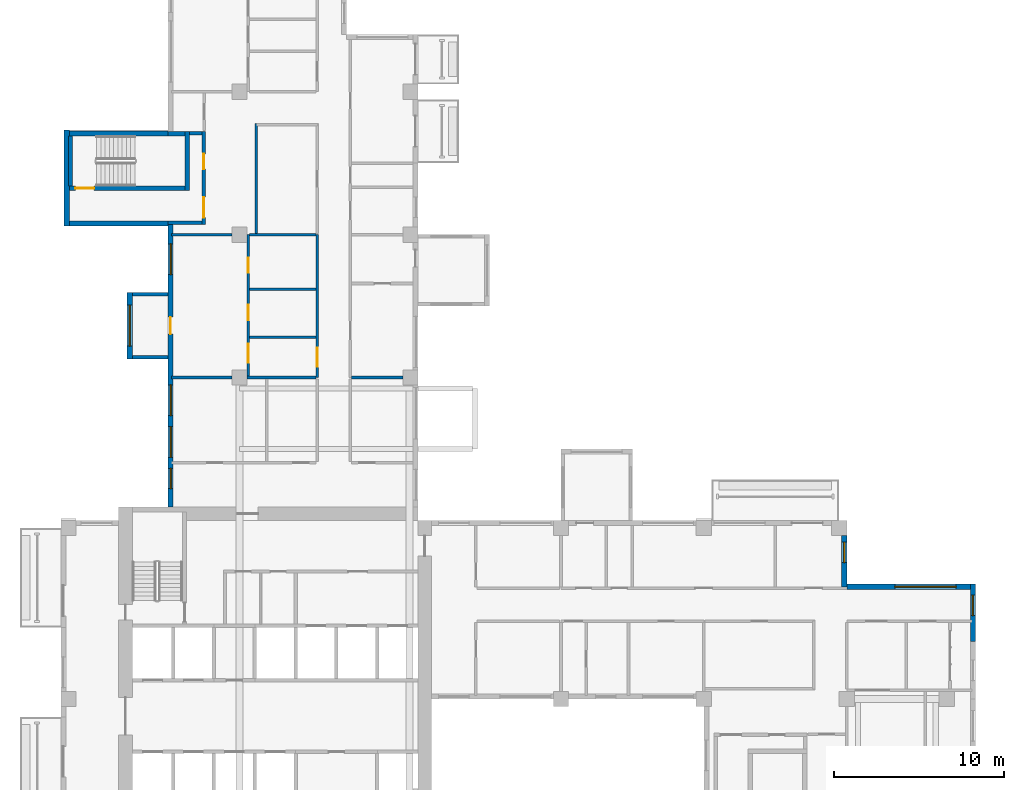
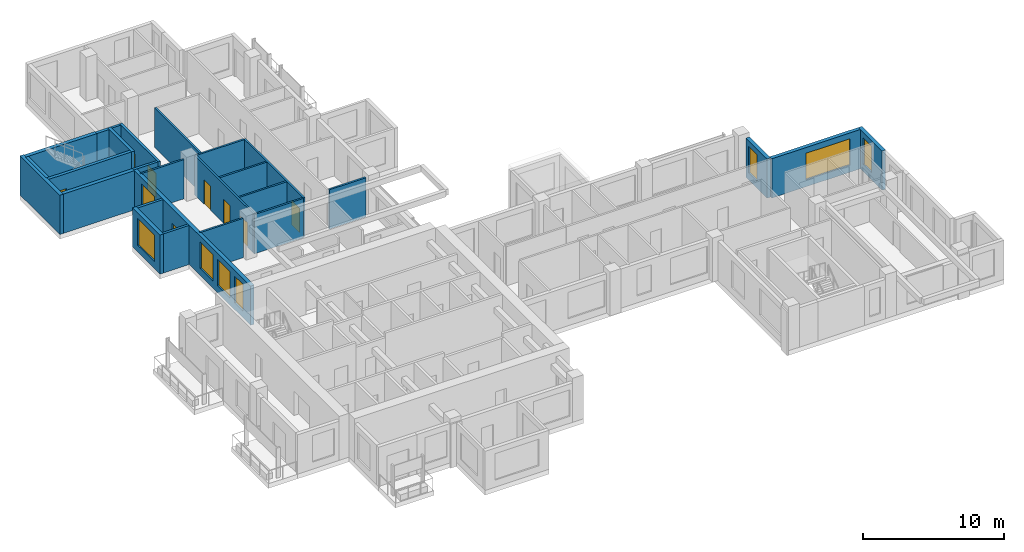
# One storey, part 6 of 11: 27 walls, 8 doors, 8 windows, 16 openings.
"""IFC4 building model written with IfcOpenShell, lengths in metres."""

from ifc_helpers import new_model, si_unit, direction, frame, frame_2d, origin, place, context, subcontext, project, spatial, rectangle, extrude, source, transform, mapped, material, layer, layer_set, type_object, element, fill, save


model = new_model("IFC4")

# Units and contexts
model_context = context("Model", 3, precision=1e-05, world=origin(), true_north=direction((0.0, 1.0)))
body_context = subcontext(model_context, "Body", "Model", "MODEL_VIEW")
ifc_project = project(units=[si_unit("LENGTHUNIT", "METRE"), si_unit("AREAUNIT", "SQUARE_METRE"), si_unit("VOLUMEUNIT", "CUBIC_METRE"), si_unit("PLANEANGLEUNIT", "RADIAN"), si_unit("MASSUNIT", "GRAM", prefix="KILO")], contexts=[model_context])

# Site, building, storey
site_placement = place(None, origin())
site = spatial("IfcSite", under=ifc_project, at=site_placement, CompositionType="ELEMENT")
building_placement = place(site_placement, origin())
building = spatial("IfcBuilding", under=site, at=building_placement, Name="Aurelian Terraces", CompositionType="ELEMENT")
storey_placement = place(building_placement, frame((0.0, 0.0, 208.2)))
storey = spatial("IfcBuildingStorey", under=building, at=storey_placement, Name="L46", CompositionType="ELEMENT", Elevation=208.2)

# Walls
ifc_material_1 = material(Name="Concrete fc' 40 MPa", Category="concrete")
ifc_layer_1 = layer(ifc_material_1, 0.3)
ifc_layer_set_1 = layer_set([ifc_layer_1], Name="STAIR BAY WALL 300")
wall_type_1 = type_object("IfcWallType", Name="STAIR BAY WALL 300", PredefinedType="SOLIDWALL", material=ifc_layer_set_1)
shared_shape_1 = source(origin(), body_context, "Body", "SweptSolid", [
    extrude(rectangle(XDim=6.1, YDim=0.3, at=frame_2d((3.05, 0.0))), origin(), (0.0, 0.0, 1.0), 3.4),
])
for number, where, z_axis, x_axis, name in (
    (1, (6.3, 43.75, 0.0), (0.0, 0.0, 1.0), (-1.0, 0.0, 0.0), "Stair bay wall L46 F17.32"),
    (2, (0.2, 38.45, 0.0), (0.0, 0.0, 1.0), (1.0, 0.0, 0.0), "Stair bay wall L46 F19.34"),
):
    element("IfcWall", number, at=place(storey_placement, frame(where, z_axis=z_axis, x_axis=x_axis)), inside=storey, type_object=wall_type_1, Name=name, PredefinedType="SOLIDWALL", context=body_context, shape_type="MappedRepresentation", body=[
        mapped(shared_shape_1, transform((0.0, 0.0, 0.0), scale=1.0)),
    ])

# Wall, opening, window
ifc_material_2 = material(Name="Terracotta rainscreen cladding", Category="masonry")
ifc_layer_2 = layer(ifc_material_2, 0.3)
ifc_layer_set_2 = layer_set([ifc_layer_2], Name="EW-300")
wall_type_2 = type_object("IfcWallType", Name="EW-300", PredefinedType="STANDARD", material=ifc_layer_set_2)
shared_shape_2 = source(origin(), body_context, "Body", "SweptSolid", [
    extrude(rectangle(XDim=3.375, YDim=0.3, at=frame_2d((1.6875, 0.0))), origin(), (0.0, 0.0, 1.0), 3.4),
])
wall_1_placement = place(storey_placement, frame((53.61, 13.875, 0.0), z_axis=(0.0, 0.0, 1.0), x_axis=(0.0, 1.0, 0.0)))
wall_1 = element("IfcWall", 3, at=wall_1_placement, inside=storey, type_object=wall_type_2, Name="External wall L46 F08.16", PredefinedType="STANDARD", context=body_context, shape_type="MappedRepresentation", body=[
    mapped(shared_shape_2, transform((0.0, 0.0, 0.0), scale=1.0)),
])
shared_shape_3 = source(origin(), body_context, "Body", "SweptSolid", [
    extrude(rectangle(XDim=1.2, YDim=2.3, at=frame_2d((0.6, 1.15))), frame((0.0, 0.16, 0.0), z_axis=(0.0, -1.0, 0.0), x_axis=(1.0, 0.0, 0.0)), (0.0, 0.0, 1.0), 0.32),
])
opening_1_placement = place(wall_1_placement, frame((1.5312, 0.0, 0.6)))
opening_1 = element("IfcOpeningElement", 4, at=opening_1_placement, cuts=wall_1, Name="Opening W1223", PredefinedType="OPENING", context=body_context, shape_type="MappedRepresentation", body=[
    mapped(shared_shape_3, transform((0.0, 0.0, 0.0), scale=1.0)),
])
ifc_material_3 = material(Name="Clear glazing", Category="glass")
window_type_1 = type_object("IfcWindowType", Name="W-1200x2300", PartitioningType="SINGLE_PANEL", PredefinedType="WINDOW", material=ifc_material_3)
shared_shape_4 = source(origin(), body_context, "Body", "SweptSolid", [
    extrude(rectangle(XDim=1.2, YDim=2.3, at=frame_2d((0.6, 1.15))), frame((0.0, 0.03, 0.0), z_axis=(0.0, -1.0, 0.0), x_axis=(1.0, 0.0, 0.0)), (0.0, 0.0, 1.0), 0.06),
])
window_1_placement = place(opening_1_placement, origin())
window_1 = element("IfcWindow", 5, at=window_1_placement, inside=storey, type_object=window_type_1, Name="Window L46 L46-F08-16-P0", OverallHeight=2.3, OverallWidth=1.2, PartitioningType="SINGLE_PANEL", PredefinedType="WINDOW", context=body_context, shape_type="MappedRepresentation", body=[
    mapped(shared_shape_4, transform((0.0, 0.0, 0.0), scale=1.0)),
])
fill(opening_1, window_1)

shared_shape_5 = source(origin(), body_context, "Body", "SweptSolid", [
    extrude(rectangle(XDim=3.0, YDim=0.3, at=frame_2d((1.5, 0.0))), origin(), (0.0, 0.0, 1.0), 3.4),
])
wall_2_placement = place(storey_placement, frame((46.05, 17.1, 0.0), z_axis=(0.0, 0.0, 1.0), x_axis=(0.0, 1.0, 0.0)))
wall_2 = element("IfcWall", 6, at=wall_2_placement, inside=storey, type_object=wall_type_2, Name="External wall L46 F10.18", PredefinedType="STANDARD", context=body_context, shape_type="MappedRepresentation", body=[
    mapped(shared_shape_5, transform((0.0, 0.0, 0.0), scale=1.0)),
])
opening_2_placement = place(wall_2_placement, frame((1.425, 0.0, 0.6)))
opening_2 = element("IfcOpeningElement", 7, at=opening_2_placement, cuts=wall_2, Name="Opening W1223", PredefinedType="OPENING", context=body_context, shape_type="MappedRepresentation", body=[
    mapped(shared_shape_3, transform((0.0, 0.0, 0.0), scale=1.0)),
])
window_2_placement = place(opening_2_placement, origin())
window_2 = element("IfcWindow", 8, at=window_2_placement, inside=storey, type_object=window_type_1, Name="Window L46 L46-F10-18-0", OverallHeight=2.3, OverallWidth=1.2, PartitioningType="SINGLE_PANEL", PredefinedType="WINDOW", context=body_context, shape_type="MappedRepresentation", body=[
    mapped(shared_shape_4, transform((0.0, 0.0, 0.0), scale=1.0)),
])
fill(opening_2, window_2)

# Wall
shared_shape_6 = source(origin(), body_context, "Body", "SweptSolid", [
    extrude(rectangle(XDim=5.65, YDim=0.3, at=frame_2d((2.825, 0.0))), origin(), (0.0, 0.0, 1.0), 3.4),
])
wall_3_placement = place(storey_placement, frame((0.35, 43.95, 0.0), z_axis=(0.0, 0.0, 1.0), x_axis=(0.0, -1.0, 0.0)))
element("IfcWall", 9, at=wall_3_placement, inside=storey, type_object=wall_type_1, Name="Stair bay wall L46 F18.33", PredefinedType="SOLIDWALL", context=body_context, shape_type="MappedRepresentation", body=[
    mapped(shared_shape_6, transform((0.0, 0.0, 0.0), scale=1.0)),
])

# Wall, openings, windows, door
shared_shape_7 = source(origin(), body_context, "Body", "SweptSolid", [
    extrude(rectangle(XDim=16.6, YDim=0.3, at=frame_2d((8.3, 0.0))), origin(), (0.0, 0.0, 1.0), 3.4),
])
wall_4_placement = place(storey_placement, frame((6.45, 38.4, 0.0), z_axis=(0.0, 0.0, 1.0), x_axis=(0.0, -1.0, 0.0)))
wall_4 = element("IfcWall", 10, at=wall_4_placement, inside=storey, type_object=wall_type_2, Name="External wall L46 F20.35", PredefinedType="STANDARD", context=body_context, shape_type="MappedRepresentation", body=[
    mapped(shared_shape_7, transform((0.0, 0.0, 0.0), scale=1.0)),
])
shared_shape_8 = source(origin(), body_context, "Body", "SweptSolid", [
    extrude(rectangle(XDim=1.8, YDim=2.3, at=frame_2d((0.9, 1.15))), frame((0.0, 0.16, 0.0), z_axis=(0.0, -1.0, 0.0), x_axis=(1.0, 0.0, 0.0)), (0.0, 0.0, 1.0), 0.32),
])
opening_3_placement = place(wall_4_placement, frame((1.15, 0.0, 0.6)))
opening_3 = element("IfcOpeningElement", 11, at=opening_3_placement, cuts=wall_4, Name="Opening W1823", PredefinedType="OPENING", context=body_context, shape_type="MappedRepresentation", body=[
    mapped(shared_shape_8, transform((0.0, 0.0, 0.0), scale=1.0)),
])
opening_4_placement = place(wall_4_placement, frame((9.4375, 0.0, 0.6)))
opening_4 = element("IfcOpeningElement", 12, at=opening_4_placement, cuts=wall_4, Name="Opening W1823", PredefinedType="OPENING", context=body_context, shape_type="MappedRepresentation", body=[
    mapped(shared_shape_8, transform((0.0, 0.0, 0.0), scale=1.0)),
])
opening_5_placement = place(wall_4_placement, frame((14.3375, 0.0, 0.6)))
opening_5 = element("IfcOpeningElement", 13, at=opening_5_placement, cuts=wall_4, Name="Opening W1223", PredefinedType="OPENING", context=body_context, shape_type="MappedRepresentation", body=[
    mapped(shared_shape_3, transform((0.0, 0.0, 0.0), scale=1.0)),
])
opening_6_placement = place(wall_4_placement, frame((11.8875, 0.0, 0.6)))
opening_6 = element("IfcOpeningElement", 14, at=opening_6_placement, cuts=wall_4, Name="Opening W1823", PredefinedType="OPENING", context=body_context, shape_type="MappedRepresentation", body=[
    mapped(shared_shape_8, transform((0.0, 0.0, 0.0), scale=1.0)),
])
shared_shape_9 = source(origin(), body_context, "Body", "SweptSolid", [
    extrude(rectangle(XDim=1.0, YDim=2.1, at=frame_2d((0.5, 1.05))), frame((0.0, 0.16, 0.0), z_axis=(0.0, -1.0, 0.0), x_axis=(1.0, 0.0, 0.0)), (0.0, 0.0, 1.0), 0.32),
])
opening_7_placement = place(wall_4_placement, frame((5.45, 0.0, 0.0)))
opening_7 = element("IfcOpeningElement", 15, at=opening_7_placement, cuts=wall_4, Name="Opening 846004", PredefinedType="OPENING", context=body_context, shape_type="MappedRepresentation", body=[
    mapped(shared_shape_9, transform((0.0, 0.0, 0.0), scale=1.0)),
])
window_3_placement = place(opening_5_placement, origin())
window_3 = element("IfcWindow", 16, at=window_3_placement, inside=storey, type_object=window_type_1, Name="Window L46 L46-F20-35-3", OverallHeight=2.3, OverallWidth=1.2, PartitioningType="SINGLE_PANEL", PredefinedType="WINDOW", context=body_context, shape_type="MappedRepresentation", body=[
    mapped(shared_shape_4, transform((0.0, 0.0, 0.0), scale=1.0)),
])
fill(opening_5, window_3)
window_type_2 = type_object("IfcWindowType", Name="W-1800x2300", PartitioningType="SINGLE_PANEL", PredefinedType="WINDOW", material=ifc_material_3)
shared_shape_10 = source(origin(), body_context, "Body", "SweptSolid", [
    extrude(rectangle(XDim=1.8, YDim=2.3, at=frame_2d((0.9, 1.15))), frame((0.0, 0.03, 0.0), z_axis=(0.0, -1.0, 0.0), x_axis=(1.0, 0.0, 0.0)), (0.0, 0.0, 1.0), 0.06),
])
window_4_placement = place(opening_3_placement, origin())
window_4 = element("IfcWindow", 17, at=window_4_placement, inside=storey, type_object=window_type_2, Name="Window L46 L46-F20-35-0", OverallHeight=2.3, OverallWidth=1.8, PartitioningType="SINGLE_PANEL", PredefinedType="WINDOW", context=body_context, shape_type="MappedRepresentation", body=[
    mapped(shared_shape_10, transform((0.0, 0.0, 0.0), scale=1.0)),
])
fill(opening_3, window_4)
window_5_placement = place(opening_4_placement, origin())
window_5 = element("IfcWindow", 18, at=window_5_placement, inside=storey, type_object=window_type_2, Name="Window L46 L46-F20-35-2", OverallHeight=2.3, OverallWidth=1.8, PartitioningType="SINGLE_PANEL", PredefinedType="WINDOW", context=body_context, shape_type="MappedRepresentation", body=[
    mapped(shared_shape_10, transform((0.0, 0.0, 0.0), scale=1.0)),
])
fill(opening_4, window_5)
window_6_placement = place(opening_6_placement, origin())
window_6 = element("IfcWindow", 19, at=window_6_placement, inside=storey, type_object=window_type_2, Name="Window L46 L46-F20-35-G0-111", OverallHeight=2.3, OverallWidth=1.8, PartitioningType="SINGLE_PANEL", PredefinedType="WINDOW", context=body_context, shape_type="MappedRepresentation", body=[
    mapped(shared_shape_10, transform((0.0, 0.0, 0.0), scale=1.0)),
])
fill(opening_6, window_6)
ifc_material_4 = material(Name="Timber door leaf", Category="wood")
door_type_1 = type_object("IfcDoorType", Name="Room door 1000x2100 left", OperationType="SINGLE_SWING_LEFT", PredefinedType="DOOR", material=ifc_material_4)
shared_shape_11 = source(origin(), body_context, "Body", "SweptSolid", [
    extrude(rectangle(XDim=1.0, YDim=2.1, at=frame_2d((0.5, 1.05))), frame((0.0, 0.025, 0.0), z_axis=(0.0, -1.0, 0.0), x_axis=(1.0, 0.0, 0.0)), (0.0, 0.0, 1.0), 0.05),
])
door_1_placement = place(opening_7_placement, origin())
door_1 = element("IfcDoor", 20, at=door_1_placement, inside=storey, type_object=door_type_1, Name="Door 846004", OperationType="SINGLE_SWING_LEFT", OverallHeight=2.1, OverallWidth=1.0, PredefinedType="DOOR", context=body_context, shape_type="MappedRepresentation", body=[
    mapped(shared_shape_11, transform((0.0, 0.0, 0.0), scale=1.0)),
])
fill(opening_7, door_1)

# Walls
ifc_layer_3 = layer(ifc_material_1, 0.2)
ifc_layer_set_3 = layer_set([ifc_layer_3], Name="BOX BEARING WALL 200")
wall_type_3 = type_object("IfcWallType", Name="BOX BEARING WALL 200", PredefinedType="SOLIDWALL", material=ifc_layer_set_3)
shared_shape_12 = source(origin(), body_context, "Body", "SweptSolid", [
    extrude(rectangle(XDim=2.1, YDim=0.2, at=frame_2d((1.05, 0.0))), origin(), (0.0, 0.0, 1.0), 3.39),
])
for number, where, z_axis, x_axis, name in (
    (21, (6.3, 34.3, 0.0), (0.0, 0.0, 1.0), (-1.0, 0.0, 0.0), "Box return L46 J66.1"),
    (22, (6.3, 30.6, 0.0), (0.0, 0.0, 1.0), (-1.0, 0.0, 0.0), "Box return L46 J66.2"),
):
    element("IfcWall", number, at=place(storey_placement, frame(where, z_axis=z_axis, x_axis=x_axis)), inside=storey, type_object=wall_type_3, Name=name, PredefinedType="SOLIDWALL", context=body_context, shape_type="MappedRepresentation", body=[
        mapped(shared_shape_12, transform((0.0, 0.0, 0.0), scale=1.0)),
    ])

# Wall, opening, window
shared_shape_13 = source(origin(), body_context, "Body", "SweptSolid", [
    extrude(rectangle(XDim=7.56, YDim=0.3, at=frame_2d((3.78, 0.0))), origin(), (0.0, 0.0, 1.0), 3.4),
])
wall_5_placement = place(storey_placement, frame((53.76, 17.1, 0.0), z_axis=(0.0, 0.0, 1.0), x_axis=(-1.0, 0.0, 0.0)))
wall_5 = element("IfcWall", 23, at=wall_5_placement, inside=storey, type_object=wall_type_2, Name="External wall L46 F09.17", PredefinedType="STANDARD", context=body_context, shape_type="MappedRepresentation", body=[
    mapped(shared_shape_13, transform((0.0, 0.0, 0.0), scale=1.0)),
])
shared_shape_14 = source(origin(), body_context, "Body", "SweptSolid", [
    extrude(rectangle(XDim=3.6, YDim=2.3, at=frame_2d((1.8, 1.15))), frame((0.0, 0.16, 0.0), z_axis=(0.0, -1.0, 0.0), x_axis=(1.0, 0.0, 0.0)), (0.0, 0.0, 1.0), 0.32),
])
opening_8_placement = place(wall_5_placement, frame((1.14, 0.0, 0.6)))
opening_8 = element("IfcOpeningElement", 24, at=opening_8_placement, cuts=wall_5, Name="Opening W3623", PredefinedType="OPENING", context=body_context, shape_type="MappedRepresentation", body=[
    mapped(shared_shape_14, transform((0.0, 0.0, 0.0), scale=1.0)),
])
window_type_3 = type_object("IfcWindowType", Name="W-3600x2300", PartitioningType="SINGLE_PANEL", PredefinedType="WINDOW", material=ifc_material_3)
shared_shape_15 = source(origin(), body_context, "Body", "SweptSolid", [
    extrude(rectangle(XDim=3.6, YDim=2.3, at=frame_2d((1.8, 1.15))), frame((0.0, 0.03, 0.0), z_axis=(0.0, -1.0, 0.0), x_axis=(1.0, 0.0, 0.0)), (0.0, 0.0, 1.0), 0.06),
])
window_7_placement = place(opening_8_placement, origin())
window_7 = element("IfcWindow", 25, at=window_7_placement, inside=storey, type_object=window_type_3, Name="Window L46 L46-F09-17-0", OverallHeight=2.3, OverallWidth=3.6, PartitioningType="SINGLE_PANEL", PredefinedType="WINDOW", context=body_context, shape_type="MappedRepresentation", body=[
    mapped(shared_shape_15, transform((0.0, 0.0, 0.0), scale=1.0)),
])
fill(opening_8, window_7)

ifc_layer_4 = layer(ifc_material_1, 0.3)
ifc_layer_set_4 = layer_set([ifc_layer_4], Name="BOX BEARING WALL 300")
wall_type_4 = type_object("IfcWallType", Name="BOX BEARING WALL 300", PredefinedType="SOLIDWALL", material=ifc_layer_set_4)
shared_shape_16 = source(origin(), body_context, "Body", "SweptSolid", [
    extrude(rectangle(XDim=3.9, YDim=0.3, at=frame_2d((1.95, 0.0))), origin(), (0.0, 0.0, 1.0), 3.39),
])
wall_6_placement = place(storey_placement, frame((4.05, 34.4, 0.0), z_axis=(0.0, 0.0, 1.0), x_axis=(0.0, -1.0, 0.0)))
wall_6 = element("IfcWall", 26, at=wall_6_placement, inside=storey, type_object=wall_type_4, Name="Box wall L46 J66", PredefinedType="SOLIDWALL", context=body_context, shape_type="MappedRepresentation", body=[
    mapped(shared_shape_16, transform((0.0, 0.0, 0.0), scale=1.0)),
])
shared_shape_17 = source(origin(), body_context, "Body", "SweptSolid", [
    extrude(rectangle(XDim=2.4, YDim=2.3, at=frame_2d((1.2, 1.15))), frame((0.0, 0.16, 0.0), z_axis=(0.0, -1.0, 0.0), x_axis=(1.0, 0.0, 0.0)), (0.0, 0.0, 1.0), 0.32),
])
opening_9_placement = place(wall_6_placement, frame((0.75, 0.0, 0.6)))
opening_9 = element("IfcOpeningElement", 27, at=opening_9_placement, cuts=wall_6, Name="Opening W2423", PredefinedType="OPENING", context=body_context, shape_type="MappedRepresentation", body=[
    mapped(shared_shape_17, transform((0.0, 0.0, 0.0), scale=1.0)),
])
window_type_4 = type_object("IfcWindowType", Name="W-2400x2300", PartitioningType="SINGLE_PANEL", PredefinedType="WINDOW", material=ifc_material_3)
shared_shape_18 = source(origin(), body_context, "Body", "SweptSolid", [
    extrude(rectangle(XDim=2.4, YDim=2.3, at=frame_2d((1.2, 1.15))), frame((0.0, 0.03, 0.0), z_axis=(0.0, -1.0, 0.0), x_axis=(1.0, 0.0, 0.0)), (0.0, 0.0, 1.0), 0.06),
])
window_8_placement = place(opening_9_placement, origin())
window_8 = element("IfcWindow", 28, at=window_8_placement, inside=storey, type_object=window_type_4, Name="Window L46 J66-F1", OverallHeight=2.3, OverallWidth=2.4, PartitioningType="SINGLE_PANEL", PredefinedType="WINDOW", context=body_context, shape_type="MappedRepresentation", body=[
    mapped(shared_shape_18, transform((0.0, 0.0, 0.0), scale=1.0)),
])
fill(opening_9, window_8)

# Wall, opening, door
ifc_layer_5 = layer(ifc_material_1, 0.25)
ifc_layer_set_5 = layer_set([ifc_layer_5], Name="Stair enclosure wall 250")
wall_type_5 = type_object("IfcWallType", Name="Stair enclosure wall 250", PredefinedType="SOLIDWALL", material=ifc_layer_set_5)
shared_shape_19 = source(origin(), body_context, "Body", "SweptSolid", [
    extrude(rectangle(XDim=7.0, YDim=0.25, at=frame_2d((3.5, 0.0))), origin(), (0.0, 0.0, 1.0), 3.4),
])
wall_7_placement = place(storey_placement, frame((0.3, 40.525, 0.0), z_axis=(0.0, 0.0, 1.0), x_axis=(1.0, 0.0, 0.0)))
wall_7 = element("IfcWall", 29, at=wall_7_placement, inside=storey, type_object=wall_type_5, Name="L46 core wall ST-S3-W", PredefinedType="SOLIDWALL", context=body_context, shape_type="MappedRepresentation", body=[
    mapped(shared_shape_19, transform((0.0, 0.0, 0.0), scale=1.0)),
])
shared_shape_20 = source(origin(), body_context, "Body", "SweptSolid", [
    extrude(rectangle(XDim=1.1, YDim=2.1, at=frame_2d((0.55, 1.05))), frame((0.0, 0.135, 0.0), z_axis=(0.0, -1.0, 0.0), x_axis=(1.0, 0.0, 0.0)), (0.0, 0.0, 1.0), 0.27),
])
opening_10_placement = place(wall_7_placement, frame((0.55, 0.0, 0.0)))
opening_10 = element("IfcOpeningElement", 30, at=opening_10_placement, cuts=wall_7, Name="Opening 64918", PredefinedType="OPENING", context=body_context, shape_type="MappedRepresentation", body=[
    mapped(shared_shape_20, transform((0.0, 0.0, 0.0), scale=1.0)),
])
ifc_material_5 = material(Name="Steel door leaf", Category="steel")
door_type_2 = type_object("IfcDoorType", Name="Core fire door 1100x2100 right", OperationType="SINGLE_SWING_RIGHT", PredefinedType="DOOR", material=ifc_material_5)
shared_shape_21 = source(origin(), body_context, "Body", "SweptSolid", [
    extrude(rectangle(XDim=1.1, YDim=2.1, at=frame_2d((0.55, 1.05))), frame((0.0, 0.025, 0.0), z_axis=(0.0, -1.0, 0.0), x_axis=(1.0, 0.0, 0.0)), (0.0, 0.0, 1.0), 0.05),
])
door_2_placement = place(opening_10_placement, origin())
door_2 = element("IfcDoor", 31, at=door_2_placement, inside=storey, type_object=door_type_2, Name="Stair door 64918", OperationType="SINGLE_SWING_RIGHT", OverallHeight=2.1, OverallWidth=1.1, PredefinedType="DOOR", context=body_context, shape_type="MappedRepresentation", body=[
    mapped(shared_shape_21, transform((0.0, 0.0, 0.0), scale=1.0)),
])
fill(opening_10, door_2)

# Walls
shared_shape_22 = source(origin(), body_context, "Body", "SweptSolid", [
    extrude(rectangle(XDim=3.45, YDim=0.25, at=frame_2d((1.725, 0.0))), origin(), (0.0, 0.0, 1.0), 3.4),
])
wall_8_placement = place(storey_placement, frame((7.425, 40.4, 0.0), z_axis=(0.0, 0.0, 1.0), x_axis=(0.0, 1.0, 0.0)))
element("IfcWall", 32, at=wall_8_placement, inside=storey, type_object=wall_type_5, Name="L46 core wall ST-S3-N", PredefinedType="SOLIDWALL", context=body_context, shape_type="MappedRepresentation", body=[
    mapped(shared_shape_22, transform((0.0, 0.0, 0.0), scale=1.0)),
])
shared_shape_23 = source(origin(), body_context, "Body", "SweptSolid", [
    extrude(rectangle(XDim=2.95, YDim=0.25, at=frame_2d((1.475, 0.0))), origin(), (0.0, 0.0, 1.0), 3.4),
])
wall_9_placement = place(storey_placement, frame((0.575, 40.65, 0.0), z_axis=(0.0, 0.0, 1.0), x_axis=(0.0, 1.0, 0.0)))
element("IfcWall", 33, at=wall_9_placement, inside=storey, type_object=wall_type_5, Name="L46 core wall ST-S3-SS", PredefinedType="SOLIDWALL", context=body_context, shape_type="MappedRepresentation", body=[
    mapped(shared_shape_23, transform((0.0, 0.0, 0.0), scale=1.0)),
])

# Wall, openings, doors
ifc_material_6 = material(Name="Gypsum board on steel studs", Category="steel")
ifc_layer_6 = layer(ifc_material_6, 0.2)
ifc_layer_set_6 = layer_set([ifc_layer_6], Name="Core partition 200")
wall_type_6 = type_object("IfcWallType", Name="Core partition 200", PredefinedType="PARTITIONING", material=ifc_layer_set_6)
shared_shape_24 = source(origin(), body_context, "Body", "SweptSolid", [
    extrude(rectangle(XDim=5.45, YDim=0.2, at=frame_2d((2.725, 0.0))), origin(), (0.0, 0.0, 1.0), 3.4),
])
wall_10_placement = place(storey_placement, frame((8.4, 38.4, 0.0), z_axis=(0.0, 0.0, 1.0), x_axis=(0.0, 1.0, 0.0)))
wall_10 = element("IfcWall", 34, at=wall_10_placement, inside=storey, type_object=wall_type_6, Name="L46 core wall ST-S3-BN", PredefinedType="PARTITIONING", context=body_context, shape_type="MappedRepresentation", body=[
    mapped(shared_shape_24, transform((0.0, 0.0, 0.0), scale=1.0)),
])
shared_shape_25 = source(origin(), body_context, "Body", "SweptSolid", [
    extrude(rectangle(XDim=1.2, YDim=2.1, at=frame_2d((0.6, 1.05))), frame((0.0, 0.11, 0.0), z_axis=(0.0, -1.0, 0.0), x_axis=(1.0, 0.0, 0.0)), (0.0, 0.0, 1.0), 0.22),
])
opening_11_placement = place(wall_10_placement, frame((0.4, 0.0, 0.0)))
opening_11 = element("IfcOpeningElement", 35, at=opening_11_placement, cuts=wall_10, Name="Opening 64919", PredefinedType="OPENING", context=body_context, shape_type="MappedRepresentation", body=[
    mapped(shared_shape_25, transform((0.0, 0.0, 0.0), scale=1.0)),
])
shared_shape_26 = source(origin(), body_context, "Body", "SweptSolid", [
    extrude(rectangle(XDim=0.9, YDim=2.1, at=frame_2d((0.45, 1.05))), frame((0.0, 0.11, 0.0), z_axis=(0.0, -1.0, 0.0), x_axis=(1.0, 0.0, 0.0)), (0.0, 0.0, 1.0), 0.22),
])
opening_12_placement = place(wall_10_placement, frame((3.25, 0.0, 0.0)))
opening_12 = element("IfcOpeningElement", 36, at=opening_12_placement, cuts=wall_10, Name="Opening 64920", PredefinedType="OPENING", context=body_context, shape_type="MappedRepresentation", body=[
    mapped(shared_shape_26, transform((0.0, 0.0, 0.0), scale=1.0)),
])
door_type_3 = type_object("IfcDoorType", Name="Core riser door 900x2100 right", OperationType="SINGLE_SWING_RIGHT", PredefinedType="DOOR", material=ifc_material_5)
shared_shape_27 = source(origin(), body_context, "Body", "SweptSolid", [
    extrude(rectangle(XDim=0.9, YDim=2.1, at=frame_2d((0.45, 1.05))), frame((0.0, 0.025, 0.0), z_axis=(0.0, -1.0, 0.0), x_axis=(1.0, 0.0, 0.0)), (0.0, 0.0, 1.0), 0.05),
])
door_3_placement = place(opening_12_placement, origin())
door_3 = element("IfcDoor", 37, at=door_3_placement, inside=storey, type_object=door_type_3, Name="Riser door 64920", OperationType="SINGLE_SWING_RIGHT", OverallHeight=2.1, OverallWidth=0.9, PredefinedType="DOOR", context=body_context, shape_type="MappedRepresentation", body=[
    mapped(shared_shape_27, transform((0.0, 0.0, 0.0), scale=1.0)),
])
fill(opening_12, door_3)
door_type_4 = type_object("IfcDoorType", Name="Core fire door 1200x2100", OperationType="SINGLE_SWING_LEFT", PredefinedType="DOOR", material=ifc_material_5)
shared_shape_28 = source(origin(), body_context, "Body", "SweptSolid", [
    extrude(rectangle(XDim=1.2, YDim=2.1, at=frame_2d((0.6, 1.05))), frame((0.0, 0.025, 0.0), z_axis=(0.0, -1.0, 0.0), x_axis=(1.0, 0.0, 0.0)), (0.0, 0.0, 1.0), 0.05),
])
door_4_placement = place(opening_11_placement, origin())
door_4 = element("IfcDoor", 38, at=door_4_placement, inside=storey, type_object=door_type_4, Name="Vestibule door 64919", OperationType="SINGLE_SWING_LEFT", OverallHeight=2.1, OverallWidth=1.2, PredefinedType="DOOR", context=body_context, shape_type="MappedRepresentation", body=[
    mapped(shared_shape_28, transform((0.0, 0.0, 0.0), scale=1.0)),
])
fill(opening_11, door_4)

# Walls
shared_shape_29 = source(origin(), body_context, "Body", "SweptSolid", [
    extrude(rectangle(XDim=0.75, YDim=0.2, at=frame_2d((0.375, 0.0))), origin(), (0.0, 0.0, 1.0), 3.4),
])
wall_11_placement = place(storey_placement, frame((7.55, 43.75, 0.0), z_axis=(0.0, 0.0, 1.0), x_axis=(1.0, 0.0, 0.0)))
element("IfcWall", 39, at=wall_11_placement, inside=storey, type_object=wall_type_6, Name="L46 core wall ST-S3-RE", PredefinedType="PARTITIONING", context=body_context, shape_type="MappedRepresentation", body=[
    mapped(shared_shape_29, transform((0.0, 0.0, 0.0), scale=1.0)),
])
shared_shape_30 = source(origin(), body_context, "Body", "SweptSolid", [
    extrude(rectangle(XDim=1.0, YDim=0.25, at=frame_2d((0.5, 0.0))), origin(), (0.0, 0.0, 1.0), 3.4),
])
wall_12_placement = place(storey_placement, frame((6.3, 43.725, 0.0), z_axis=(0.0, 0.0, 1.0), x_axis=(1.0, 0.0, 0.0)))
element("IfcWall", 40, at=wall_12_placement, inside=storey, type_object=wall_type_5, Name="L46 core wall ST-S3-E", PredefinedType="SOLIDWALL", context=body_context, shape_type="MappedRepresentation", body=[
    mapped(shared_shape_30, transform((0.0, 0.0, 0.0), scale=1.0)),
])
shared_shape_31 = source(origin(), body_context, "Body", "SweptSolid", [
    extrude(rectangle(XDim=2.0, YDim=0.2, at=frame_2d((1.0, 0.0))), origin(), (0.0, 0.0, 1.0), 3.4),
])
wall_13_placement = place(storey_placement, frame((6.3, 38.5, 0.0), z_axis=(0.0, 0.0, 1.0), x_axis=(1.0, 0.0, 0.0)))
element("IfcWall", 41, at=wall_13_placement, inside=storey, type_object=wall_type_6, Name="L46 core wall ST-S3-VW", PredefinedType="PARTITIONING", context=body_context, shape_type="MappedRepresentation", body=[
    mapped(shared_shape_31, transform((0.0, 0.0, 0.0), scale=1.0)),
])
ifc_layer_7 = layer(ifc_material_6, 0.15)
ifc_layer_set_7 = layer_set([ifc_layer_7], Name="Partition 150")
wall_type_7 = type_object("IfcWallType", Name="Partition 150", PredefinedType="PARTITIONING", material=ifc_layer_set_7)
shared_shape_32 = source(origin(), body_context, "Body", "SweptSolid", [
    extrude(rectangle(XDim=6.45, YDim=0.15, at=frame_2d((3.225, 0.0))), origin(), (0.0, 0.0, 1.0), 3.4),
])
wall_14_placement = place(storey_placement, frame((11.5, 44.325, 0.0), z_axis=(0.0, 0.0, 1.0), x_axis=(0.0, -1.0, 0.0)))
element("IfcWall", 42, at=wall_14_placement, inside=storey, type_object=wall_type_7, Name="Partition", PredefinedType="PARTITIONING", context=body_context, shape_type="MappedRepresentation", body=[
    mapped(shared_shape_32, transform((0.0, 0.0, 0.0), scale=1.0)),
])
shared_shape_33 = source(origin(), body_context, "Body", "SweptSolid", [
    extrude(rectangle(XDim=3.9, YDim=0.15, at=frame_2d((1.95, 0.0))), origin(), (0.0, 0.0, 1.0), 3.4),
])
for number, where, z_axis, x_axis, name in (
    (43, (15.0, 31.7771, 0.0), (0.0, 0.0, 1.0), (-1.0, 0.0, 0.0), "Partition"),
    (44, (15.0, 34.5827, 0.0), (0.0, 0.0, 1.0), (-1.0, 0.0, 0.0), "Partition"),
):
    element("IfcWall", number, at=place(storey_placement, frame(where, z_axis=z_axis, x_axis=x_axis)), inside=storey, type_object=wall_type_7, Name=name, PredefinedType="PARTITIONING", context=body_context, shape_type="MappedRepresentation", body=[
        mapped(shared_shape_33, transform((0.0, 0.0, 0.0), scale=1.0)),
    ])
ifc_layer_8 = layer(ifc_material_6, 0.15)
ifc_layer_set_8 = layer_set([ifc_layer_8], Name="Fire partition 150")
wall_type_8 = type_object("IfcWallType", Name="Fire partition 150", PredefinedType="PARTITIONING", material=ifc_layer_set_8)
wall_15_placement = place(storey_placement, frame((15.0, 37.8, 0.0), z_axis=(0.0, 0.0, 1.0), x_axis=(-1.0, 0.0, 0.0)))
element("IfcWall", 45, at=wall_15_placement, inside=storey, type_object=wall_type_8, Name="Party wall", PredefinedType="PARTITIONING", context=body_context, shape_type="MappedRepresentation", body=[
    mapped(shared_shape_33, transform((0.0, 0.0, 0.0), scale=1.0)),
])

# Wall, openings, doors
shared_shape_34 = source(origin(), body_context, "Body", "SweptSolid", [
    extrude(rectangle(XDim=8.4, YDim=0.15, at=frame_2d((4.2, 0.0))), origin(), (0.0, 0.0, 1.0), 3.4),
])
wall_16_placement = place(storey_placement, frame((11.025, 29.4, 0.0), z_axis=(0.0, 0.0, 1.0), x_axis=(0.0, 1.0, 0.0)))
wall_16 = element("IfcWall", 46, at=wall_16_placement, inside=storey, type_object=wall_type_7, Name="Partition", PredefinedType="PARTITIONING", context=body_context, shape_type="MappedRepresentation", body=[
    mapped(shared_shape_34, transform((0.0, 0.0, 0.0), scale=1.0)),
])
shared_shape_35 = source(origin(), body_context, "Body", "SweptSolid", [
    extrude(rectangle(XDim=1.1, YDim=2.1, at=frame_2d((0.55, 1.05))), frame((0.0, 0.085, 0.0), z_axis=(0.0, -1.0, 0.0), x_axis=(1.0, 0.0, 0.0)), (0.0, 0.0, 1.0), 0.17),
])
opening_13_placement = place(wall_16_placement, frame((0.876, 0.0, 0.0)))
opening_13 = element("IfcOpeningElement", 47, at=opening_13_placement, cuts=wall_16, Name="Opening 746022", PredefinedType="OPENING", context=body_context, shape_type="MappedRepresentation", body=[
    mapped(shared_shape_35, transform((0.0, 0.0, 0.0), scale=1.0)),
])
shared_shape_36 = source(origin(), body_context, "Body", "SweptSolid", [
    extrude(rectangle(XDim=0.9, YDim=2.1, at=frame_2d((0.45, 1.05))), frame((0.0, 0.085, 0.0), z_axis=(0.0, -1.0, 0.0), x_axis=(1.0, 0.0, 0.0)), (0.0, 0.0, 1.0), 0.17),
])
opening_14_placement = place(wall_16_placement, frame((3.3799, 0.0, 0.0)))
opening_14 = element("IfcOpeningElement", 48, at=opening_14_placement, cuts=wall_16, Name="Opening 746023", PredefinedType="OPENING", context=body_context, shape_type="MappedRepresentation", body=[
    mapped(shared_shape_36, transform((0.0, 0.0, 0.0), scale=1.0)),
])
opening_15_placement = place(wall_16_placement, frame((6.1538, 0.0, 0.0)))
opening_15 = element("IfcOpeningElement", 49, at=opening_15_placement, cuts=wall_16, Name="Opening 746024", PredefinedType="OPENING", context=body_context, shape_type="MappedRepresentation", body=[
    mapped(shared_shape_36, transform((0.0, 0.0, 0.0), scale=1.0)),
])
door_type_5 = type_object("IfcDoorType", Name="Room door 900x2100 left", OperationType="SINGLE_SWING_LEFT", PredefinedType="DOOR", material=ifc_material_4)
door_5_placement = place(opening_14_placement, origin())
door_5 = element("IfcDoor", 50, at=door_5_placement, inside=storey, type_object=door_type_5, Name="Door 746023", OperationType="SINGLE_SWING_LEFT", OverallHeight=2.1, OverallWidth=0.9, PredefinedType="DOOR", context=body_context, shape_type="MappedRepresentation", body=[
    mapped(shared_shape_27, transform((0.0, 0.0, 0.0), scale=1.0)),
])
fill(opening_14, door_5)
door_type_6 = type_object("IfcDoorType", Name="Room door 900x2100 right", OperationType="SINGLE_SWING_RIGHT", PredefinedType="DOOR", material=ifc_material_4)
door_6_placement = place(opening_15_placement, origin())
door_6 = element("IfcDoor", 51, at=door_6_placement, inside=storey, type_object=door_type_6, Name="Door 746024", OperationType="SINGLE_SWING_RIGHT", OverallHeight=2.1, OverallWidth=0.9, PredefinedType="DOOR", context=body_context, shape_type="MappedRepresentation", body=[
    mapped(shared_shape_27, transform((0.0, 0.0, 0.0), scale=1.0)),
])
fill(opening_15, door_6)
door_type_7 = type_object("IfcDoorType", Name="Room door 1100x2100 right", OperationType="SINGLE_SWING_RIGHT", PredefinedType="DOOR", material=ifc_material_4)
door_7_placement = place(opening_13_placement, origin())
door_7 = element("IfcDoor", 52, at=door_7_placement, inside=storey, type_object=door_type_7, Name="Door 746022", OperationType="SINGLE_SWING_RIGHT", OverallHeight=2.1, OverallWidth=1.1, PredefinedType="DOOR", context=body_context, shape_type="MappedRepresentation", body=[
    mapped(shared_shape_21, transform((0.0, 0.0, 0.0), scale=1.0)),
])
fill(opening_13, door_7)

# Wall, opening, door
wall_17_placement = place(storey_placement, frame((15.075, 29.4, 0.0), z_axis=(0.0, 0.0, 1.0), x_axis=(0.0, 1.0, 0.0)))
wall_17 = element("IfcWall", 53, at=wall_17_placement, inside=storey, type_object=wall_type_8, Name="Corridor wall", PredefinedType="PARTITIONING", context=body_context, shape_type="MappedRepresentation", body=[
    mapped(shared_shape_34, transform((0.0, 0.0, 0.0), scale=1.0)),
])
opening_16_placement = place(wall_17_placement, frame((0.6385, 0.0, 0.0)))
opening_16 = element("IfcOpeningElement", 54, at=opening_16_placement, cuts=wall_17, Name="Opening 746021", PredefinedType="OPENING", context=body_context, shape_type="MappedRepresentation", body=[
    mapped(shared_shape_35, transform((0.0, 0.0, 0.0), scale=1.0)),
])
door_type_8 = type_object("IfcDoorType", Name="Entrance fire door 1100x2100 left", OperationType="SINGLE_SWING_LEFT", PredefinedType="DOOR", material=ifc_material_5)
door_8_placement = place(opening_16_placement, origin())
door_8 = element("IfcDoor", 55, at=door_8_placement, inside=storey, type_object=door_type_8, Name="Door 746021", OperationType="SINGLE_SWING_LEFT", OverallHeight=2.1, OverallWidth=1.1, PredefinedType="DOOR", context=body_context, shape_type="MappedRepresentation", body=[
    mapped(shared_shape_21, transform((0.0, 0.0, 0.0), scale=1.0)),
])
fill(opening_16, door_8)

# Walls
shared_shape_37 = source(origin(), body_context, "Body", "SweptSolid", [
    extrude(rectangle(XDim=4.051, YDim=0.15, at=frame_2d((2.0255, 0.0))), origin(), (0.0, 0.0, 1.0), 3.4),
])
wall_18_placement = place(storey_placement, frame((15.0, 29.4, 0.0), z_axis=(0.0, 0.0, 1.0), x_axis=(-1.0, 0.0, 0.0)))
element("IfcWall", 56, at=wall_18_placement, inside=storey, type_object=wall_type_7, Name="Partition", PredefinedType="PARTITIONING", context=body_context, shape_type="MappedRepresentation", body=[
    mapped(shared_shape_37, transform((0.0, 0.0, 0.0), scale=1.0)),
])
shared_shape_38 = source(origin(), body_context, "Body", "SweptSolid", [
    extrude(rectangle(XDim=3.001, YDim=0.15, at=frame_2d((1.5005, 0.0))), origin(), (0.0, 0.0, 1.0), 3.4),
])
wall_19_placement = place(storey_placement, frame((20.101, 29.4, 0.0), z_axis=(0.0, 0.0, 1.0), x_axis=(-1.0, 0.0, 0.0)))
element("IfcWall", 57, at=wall_19_placement, inside=storey, type_object=wall_type_7, Name="Partition", PredefinedType="PARTITIONING", context=body_context, shape_type="MappedRepresentation", body=[
    mapped(shared_shape_38, transform((0.0, 0.0, 0.0), scale=1.0)),
])
shared_shape_39 = source(origin(), body_context, "Body", "SweptSolid", [
    extrude(rectangle(XDim=3.546, YDim=0.15, at=frame_2d((1.773, 0.0))), origin(), (0.0, 0.0, 1.0), 3.4),
])
wall_20_placement = place(storey_placement, frame((10.051, 29.4, 0.0), z_axis=(0.0, 0.0, 1.0), x_axis=(-1.0, 0.0, 0.0)))
element("IfcWall", 58, at=wall_20_placement, inside=storey, type_object=wall_type_7, Name="Partition", PredefinedType="PARTITIONING", context=body_context, shape_type="MappedRepresentation", body=[
    mapped(shared_shape_39, transform((0.0, 0.0, 0.0), scale=1.0)),
])
wall_21_placement = place(storey_placement, frame((10.051, 37.8, 0.0), z_axis=(0.0, 0.0, 1.0), x_axis=(-1.0, 0.0, 0.0)))
element("IfcWall", 59, at=wall_21_placement, inside=storey, type_object=wall_type_8, Name="Party wall", PredefinedType="PARTITIONING", context=body_context, shape_type="MappedRepresentation", body=[
    mapped(shared_shape_39, transform((0.0, 0.0, 0.0), scale=1.0)),
])

save(model, "model.ifc")
